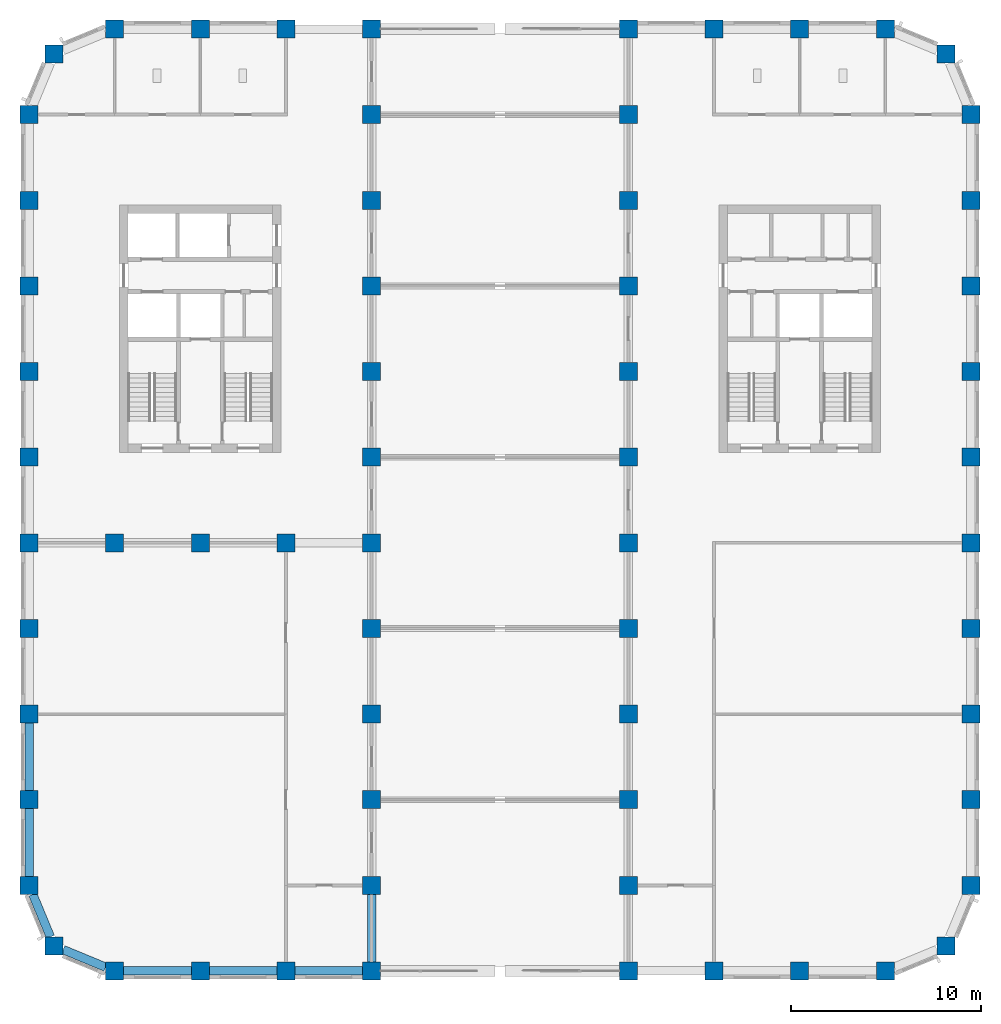
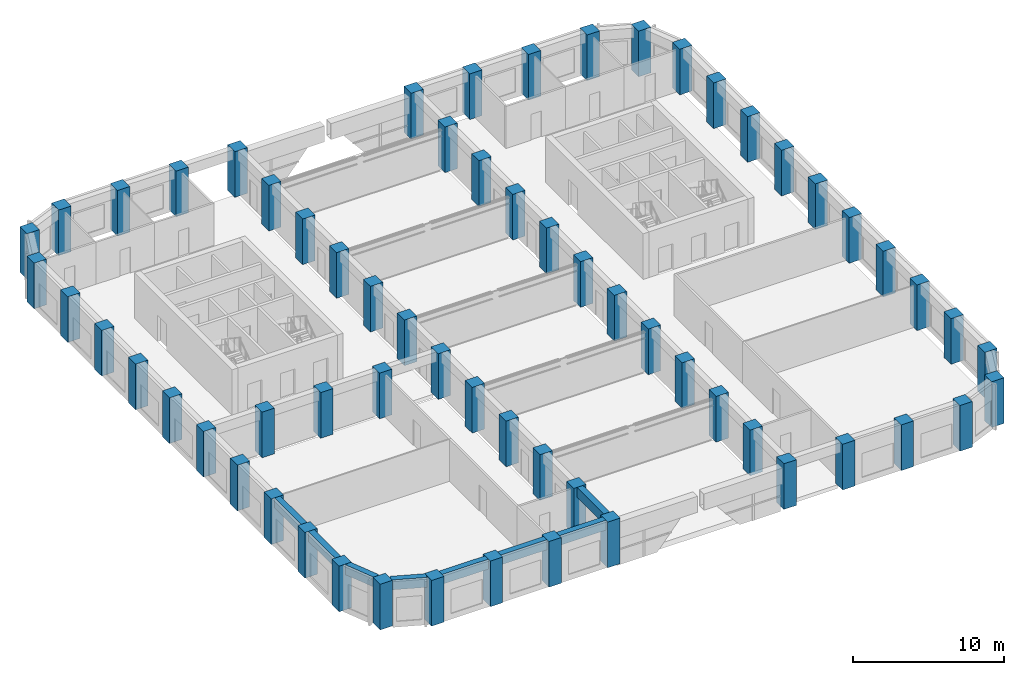
# One storey, part 1 of 14: 63 columns, 8 beams.
"""IFC4 building model written with IfcOpenShell, lengths in metres."""

from ifc_helpers import new_model, si_unit, direction, frame, origin, origin_2d, place, context, subcontext, project, spatial, rectangle, extrude, material, material_profile, profile_set, type_object, element, save


model = new_model("IFC4")

# Units and contexts
model_context = context("Model", 3, precision=1e-05, world=origin(), true_north=direction((0.0, 1.0)))
body_context = subcontext(model_context, "Body", "Model", "MODEL_VIEW")
ifc_project = project(units=[si_unit("LENGTHUNIT", "METRE"), si_unit("AREAUNIT", "SQUARE_METRE"), si_unit("VOLUMEUNIT", "CUBIC_METRE"), si_unit("PLANEANGLEUNIT", "RADIAN"), si_unit("MASSUNIT", "GRAM", prefix="KILO")], contexts=[model_context])

# Site, building, storey
site_placement = place(None, origin())
site = spatial("IfcSite", under=ifc_project, at=site_placement, CompositionType="ELEMENT")
building_placement = place(site_placement, origin())
building = spatial("IfcBuilding", under=site, at=building_placement, Name="Girih Gate Residences", CompositionType="ELEMENT")
storey_placement = place(building_placement, frame((0.0, 0.0, 172.60009765625)))
storey = spatial("IfcBuildingStorey", under=building, at=storey_placement, Name="L47", CompositionType="ELEMENT", Elevation=172.60009765625)

# Columns
ifc_material_1 = material(Name="Concrete C70/85", Category="concrete")
ifc_material_profile_1 = material_profile(ifc_material_1, rectangle(XDim=0.949951171875, YDim=0.949951171875, at=origin_2d()))
ifc_profile_set_1 = profile_set([ifc_material_profile_1], Name="Concrete C70/85")
column_type = type_object("IfcColumnType", Name="Pier RC 950x950 Concrete C70/85", PredefinedType="COLUMN", material=ifc_profile_set_1)
for number, where, z_axis, x_axis, name in (
    (1, (4.5, 0.0, 0.0), (0.0, 0.0, 1.0), (1.0, 0.0, 0.0), "Pier P2A L47"),
    (2, (9.0, 0.0, 0.0), (0.0, 0.0, 1.0), (1.0, 0.0, 0.0), "Pier P3A L47"),
    (3, (13.5, 0.0, 0.0), (0.0, 0.0, 1.0), (1.0, 0.0, 0.0), "Pier P4A L47"),
    (4, (18.0, 0.0, 0.0), (0.0, 0.0, 1.0), (1.0, 0.0, 0.0), "Pier P5A L47"),
    (5, (31.5, 0.0, 0.0), (0.0, 0.0, 1.0), (1.0, 0.0, 0.0), "Pier P8A L47"),
    (6, (36.0, 0.0, 0.0), (0.0, 0.0, 1.0), (1.0, 0.0, 0.0), "Pier P9A L47"),
    (7, (40.5, 0.0, 0.0), (0.0, 0.0, 1.0), (1.0, 0.0, 0.0), "Pier P10A L47"),
    (8, (45.0, 0.0, 0.0), (0.0, 0.0, 1.0), (1.0, 0.0, 0.0), "Pier P11A L47"),
    (9, (1.318115234375, 1.318115234375, 0.0), (0.0, 0.0, 1.0), (1.0, 0.0, 0.0), "Pier P1ANE L47"),
    (10, (48.181884765625, 1.318115234375, 0.0), (0.0, 0.0, 1.0), (1.0, 0.0, 0.0), "Pier P12ANW L47"),
    (11, (0.0, 4.5, 0.0), (0.0, 0.0, 1.0), (1.0, 0.0, 0.0), "Pier P1B L47"),
    (12, (18.0, 4.5, 0.0), (0.0, 0.0, 1.0), (1.0, 0.0, 0.0), "Pier P5B L47"),
    (13, (31.5, 4.5, 0.0), (0.0, 0.0, 1.0), (1.0, 0.0, 0.0), "Pier P8B L47"),
    (14, (49.5, 4.5, 0.0), (0.0, 0.0, 1.0), (1.0, 0.0, 0.0), "Pier P12B L47"),
    (15, (0.0, 9.0, 0.0), (0.0, 0.0, 1.0), (1.0, 0.0, 0.0), "Pier P1C L47"),
    (16, (18.0, 9.0, 0.0), (0.0, 0.0, 1.0), (1.0, 0.0, 0.0), "Pier P5C L47"),
    (17, (31.5, 9.0, 0.0), (0.0, 0.0, 1.0), (1.0, 0.0, 0.0), "Pier P8C L47"),
    (18, (49.5, 9.0, 0.0), (0.0, 0.0, 1.0), (1.0, 0.0, 0.0), "Pier P12C L47"),
    (19, (0.0, 13.5, 0.0), (0.0, 0.0, 1.0), (1.0, 0.0, 0.0), "Pier P1D L47"),
    (20, (18.0, 13.5, 0.0), (0.0, 0.0, 1.0), (1.0, 0.0, 0.0), "Pier P5D L47"),
    (21, (31.5, 13.5, 0.0), (0.0, 0.0, 1.0), (1.0, 0.0, 0.0), "Pier P8D L47"),
    (22, (49.5, 13.5, 0.0), (0.0, 0.0, 1.0), (1.0, 0.0, 0.0), "Pier P12D L47"),
    (23, (0.0, 18.0, 0.0), (0.0, 0.0, 1.0), (1.0, 0.0, 0.0), "Pier P1E L47"),
    (24, (18.0, 18.0, 0.0), (0.0, 0.0, 1.0), (1.0, 0.0, 0.0), "Pier P5E L47"),
    (25, (31.5, 18.0, 0.0), (0.0, 0.0, 1.0), (1.0, 0.0, 0.0), "Pier P8E L47"),
    (26, (49.5, 18.0, 0.0), (0.0, 0.0, 1.0), (1.0, 0.0, 0.0), "Pier P12E L47"),
    (27, (0.0, 22.5, 0.0), (0.0, 0.0, 1.0), (1.0, 0.0, 0.0), "Pier P1F L47"),
    (28, (4.5, 22.5, 0.0), (0.0, 0.0, 1.0), (1.0, 0.0, 0.0), "Pier P2F L47"),
    (29, (9.0, 22.5, 0.0), (0.0, 0.0, 1.0), (1.0, 0.0, 0.0), "Pier P3F L47"),
    (30, (13.5, 22.5, 0.0), (0.0, 0.0, 1.0), (1.0, 0.0, 0.0), "Pier P4F L47"),
    (31, (18.0, 22.5, 0.0), (0.0, 0.0, 1.0), (1.0, 0.0, 0.0), "Pier P5F L47"),
    (32, (31.5, 22.5, 0.0), (0.0, 0.0, 1.0), (1.0, 0.0, 0.0), "Pier P8F L47"),
    (33, (49.5, 22.5, 0.0), (0.0, 0.0, 1.0), (1.0, 0.0, 0.0), "Pier P12F L47"),
    (34, (0.0, 27.0, 0.0), (0.0, 0.0, 1.0), (1.0, 0.0, 0.0), "Pier P1G L47"),
    (35, (18.0, 27.0, 0.0), (0.0, 0.0, 1.0), (1.0, 0.0, 0.0), "Pier P5G L47"),
    (36, (31.5, 27.0, 0.0), (0.0, 0.0, 1.0), (1.0, 0.0, 0.0), "Pier P8G L47"),
    (37, (49.5, 27.0, 0.0), (0.0, 0.0, 1.0), (1.0, 0.0, 0.0), "Pier P12G L47"),
    (38, (0.0, 31.5, 0.0), (0.0, 0.0, 1.0), (1.0, 0.0, 0.0), "Pier P1H L47"),
    (39, (18.0, 31.5, 0.0), (0.0, 0.0, 1.0), (1.0, 0.0, 0.0), "Pier P5H L47"),
    (40, (31.5, 31.5, 0.0), (0.0, 0.0, 1.0), (1.0, 0.0, 0.0), "Pier P8H L47"),
    (41, (49.5, 31.5, 0.0), (0.0, 0.0, 1.0), (1.0, 0.0, 0.0), "Pier P12H L47"),
    (42, (0.0, 36.0, 0.0), (0.0, 0.0, 1.0), (1.0, 0.0, 0.0), "Pier P1I L47"),
    (43, (18.0, 36.0, 0.0), (0.0, 0.0, 1.0), (1.0, 0.0, 0.0), "Pier P5I L47"),
    (44, (31.5, 36.0, 0.0), (0.0, 0.0, 1.0), (1.0, 0.0, 0.0), "Pier P8I L47"),
    (45, (49.5, 36.0, 0.0), (0.0, 0.0, 1.0), (1.0, 0.0, 0.0), "Pier P12I L47"),
    (46, (0.0, 40.5, 0.0), (0.0, 0.0, 1.0), (1.0, 0.0, 0.0), "Pier P1J L47"),
    (47, (18.0, 40.5, 0.0), (0.0, 0.0, 1.0), (1.0, 0.0, 0.0), "Pier P5J L47"),
    (48, (31.5, 40.5, 0.0), (0.0, 0.0, 1.0), (1.0, 0.0, 0.0), "Pier P8J L47"),
    (49, (49.5, 40.5, 0.0), (0.0, 0.0, 1.0), (1.0, 0.0, 0.0), "Pier P12J L47"),
    (50, (0.0, 45.0, 0.0), (0.0, 0.0, 1.0), (1.0, 0.0, 0.0), "Pier P1K L47"),
    (51, (18.0, 45.0, 0.0), (0.0, 0.0, 1.0), (1.0, 0.0, 0.0), "Pier P5K L47"),
    (52, (31.5, 45.0, 0.0), (0.0, 0.0, 1.0), (1.0, 0.0, 0.0), "Pier P8K L47"),
    (53, (49.5, 45.0, 0.0), (0.0, 0.0, 1.0), (1.0, 0.0, 0.0), "Pier P12K L47"),
    (54, (1.318115234375, 48.181884765625, 0.0), (0.0, 0.0, 1.0), (1.0, 0.0, 0.0), "Pier P1LSE L47"),
    (55, (48.181884765625, 48.181884765625, 0.0), (0.0, 0.0, 1.0), (1.0, 0.0, 0.0), "Pier P12LSW L47"),
    (56, (4.5, 49.5, 0.0), (0.0, 0.0, 1.0), (1.0, 0.0, 0.0), "Pier P2L L47"),
    (57, (9.0, 49.5, 0.0), (0.0, 0.0, 1.0), (1.0, 0.0, 0.0), "Pier P3L L47"),
    (58, (13.5, 49.5, 0.0), (0.0, 0.0, 1.0), (1.0, 0.0, 0.0), "Pier P4L L47"),
    (59, (18.0, 49.5, 0.0), (0.0, 0.0, 1.0), (1.0, 0.0, 0.0), "Pier P5L L47"),
    (60, (31.5, 49.5, 0.0), (0.0, 0.0, 1.0), (1.0, 0.0, 0.0), "Pier P8L L47"),
    (61, (36.0, 49.5, 0.0), (0.0, 0.0, 1.0), (1.0, 0.0, 0.0), "Pier P9L L47"),
    (62, (40.5, 49.5, 0.0), (0.0, 0.0, 1.0), (1.0, 0.0, 0.0), "Pier P10L L47"),
    (63, (45.0, 49.5, 0.0), (0.0, 0.0, 1.0), (1.0, 0.0, 0.0), "Pier P11L L47"),
):
    element("IfcColumn", number, at=place(storey_placement, frame(where, z_axis=z_axis, x_axis=x_axis)), inside=storey, type_object=column_type, Name=name, PredefinedType="COLUMN", context=body_context, shape_type="SweptSolid", body=[
        extrude(rectangle(XDim=0.949951171875, YDim=0.949951171875, at=origin_2d()), origin(), (0.0, 0.0, 1.0), 3.699951171875),
    ])

# Beams
ifc_material_2 = material(Name="Concrete C60/75", Category="concrete")
ifc_material_profile_2 = material_profile(ifc_material_2, rectangle(XDim=0.449951171875, YDim=0.800048828125, at=origin_2d()))
ifc_profile_set_2 = profile_set([ifc_material_profile_2], Name="Concrete C60/75")
beam_type = type_object("IfcBeamType", Name="Spandrel girder RC 450x800 Concrete C60/75", PredefinedType="BEAM", material=ifc_profile_set_2)
for number, where, z_axis, x_axis, name in (
    (64, (0.19677734375, 4.02490234375, 3.2998046875), (0.382705825988, -0.923870256451, 0.0), (0.923870256451, 0.382705825988, 0.0), "Spandrel girder SP-P1B-P1ANE L47"),
    (65, (1.79296875, 1.121337890625, 3.2998046875), (0.923870256451, -0.382705825988, 0.0), (0.382705825988, 0.923870256451, 0.0), "Spandrel girder SP-P1ANE-P2A L47"),
):
    element("IfcBeam", number, at=place(storey_placement, frame(where, z_axis=z_axis, x_axis=x_axis)), inside=storey, type_object=beam_type, Name=name, PredefinedType="BEAM", context=body_context, shape_type="SweptSolid", body=[
        extrude(rectangle(XDim=0.449951171875, YDim=0.800048828125, at=origin_2d()), origin(), (0.0, 0.0, 1.0), 2.415771484375),
    ])
for number, where, z_axis, x_axis, name in (
    (66, (4.97509765625, 0.0, 3.2998046875), (1.0, 0.0, 0.0), (0.0, 1.0, 0.0), "Spandrel girder SP-P2A-P3A L47"),
    (67, (9.47509765625, 0.0, 3.2998046875), (1.0, 0.0, 0.0), (0.0, 1.0, 0.0), "Spandrel girder SP-P3A-P4A L47"),
    (68, (13.97509765625, 0.0, 3.2998046875), (1.0, 0.0, 0.0), (0.0, 1.0, 0.0), "Spandrel girder SP-P4A-P5A L47"),
    (69, (0.0, 13.02490234375, 3.2998046875), (0.0, -1.0, 0.0), (1.0, 0.0, 0.0), "Spandrel girder SP-P1D-P1C L47"),
    (70, (0.0, 8.52490234375, 3.2998046875), (0.0, -1.0, 0.0), (1.0, 0.0, 0.0), "Spandrel girder SP-P1C-P1B L47"),
    (71, (18.0, 0.47509765625, 3.2998046875), (0.0, 1.0, 0.0), (-1.0, 0.0, 0.0), "Spandrel girder SP-P5A-P5B L47"),
):
    element("IfcBeam", number, at=place(storey_placement, frame(where, z_axis=z_axis, x_axis=x_axis)), inside=storey, type_object=beam_type, Name=name, PredefinedType="BEAM", context=body_context, shape_type="SweptSolid", body=[
        extrude(rectangle(XDim=0.449951171875, YDim=0.800048828125, at=origin_2d()), origin(), (0.0, 0.0, 1.0), 3.5498046875),
    ])

save(model, "model.ifc")
